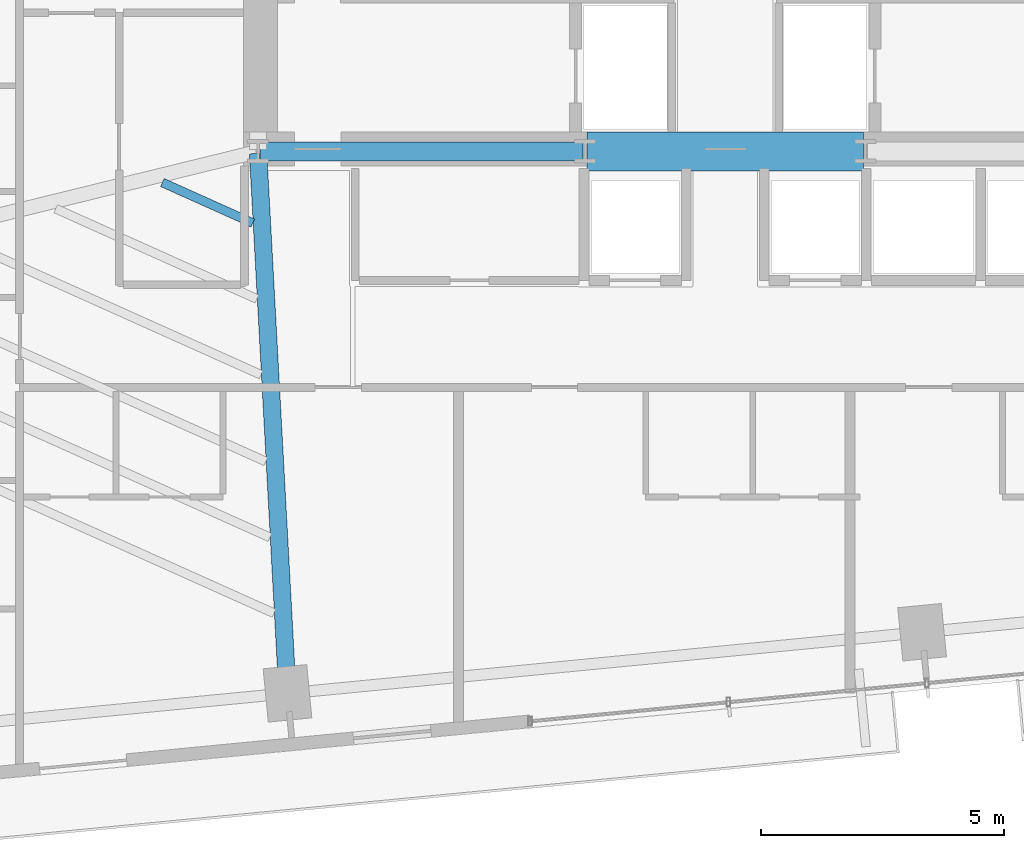
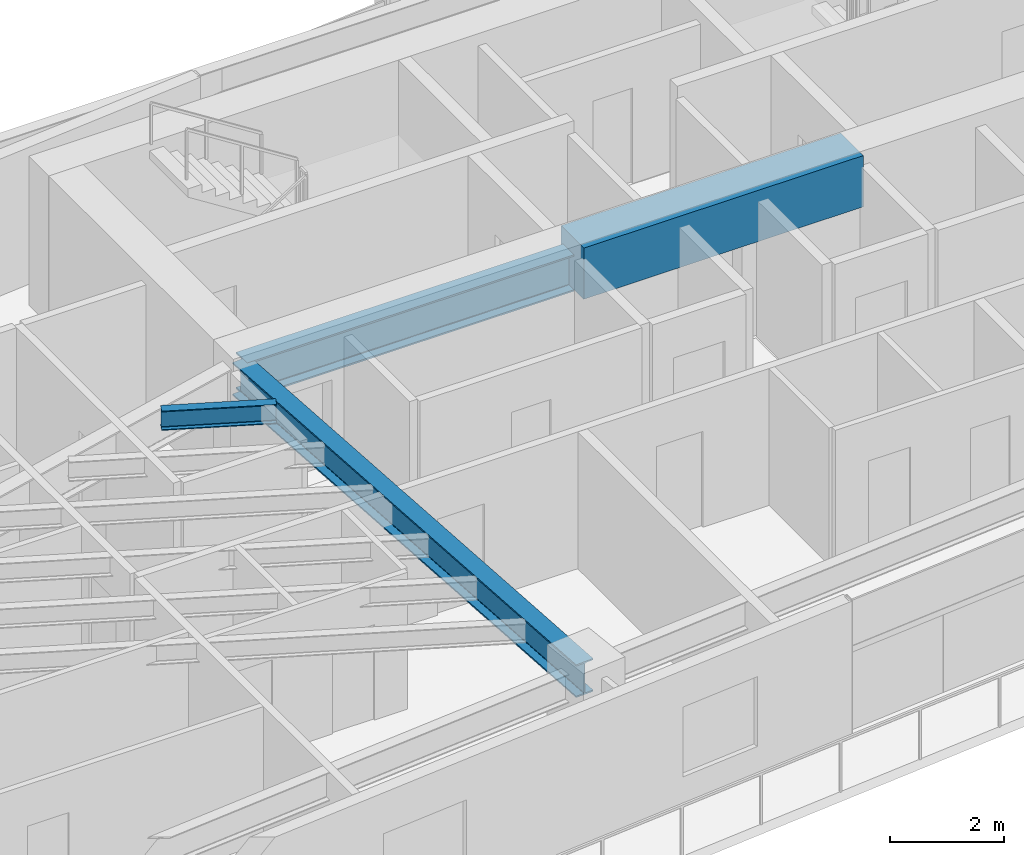
# One storey, part 7 of 25: 4 beams.
"""IFC4 building model written with IfcOpenShell, lengths in metres."""

from ifc_helpers import new_model, si_unit, direction, frame, origin, origin_2d, place, context, subcontext, project, spatial, rectangle, i_section, extrude, source, transform, mapped, material, material_profile, profile_set, type_object, type_shapes, element, save


model = new_model("IFC4")

# Units and contexts
model_context = context("Model", 3, precision=1e-05, world=origin(), true_north=direction((0.0, 1.0)))
body_context = subcontext(model_context, "Body", "Model", "MODEL_VIEW")
ifc_project = project(units=[si_unit("LENGTHUNIT", "METRE"), si_unit("AREAUNIT", "SQUARE_METRE"), si_unit("VOLUMEUNIT", "CUBIC_METRE"), si_unit("PLANEANGLEUNIT", "RADIAN"), si_unit("MASSUNIT", "GRAM", prefix="KILO")], contexts=[model_context])

# Site, building, storey
site_placement = place(None, origin())
site = spatial("IfcSite", under=ifc_project, at=site_placement, CompositionType="ELEMENT")
building_placement = place(site_placement, origin())
building = spatial("IfcBuilding", under=site, at=building_placement, Name="Astriad Promenade Condominiums", CompositionType="ELEMENT")
storey_placement = place(building_placement, frame((0.0, 0.0, 103.39990234375)))
storey = spatial("IfcBuildingStorey", under=building, at=storey_placement, Name="L29", CompositionType="ELEMENT", Elevation=103.39990234375)

# Beams
ifc_material_1 = material(Name="Steel ASTM A992 Grade 50", Category="steel")
ifc_material_profile_1 = material_profile(ifc_material_1, i_section(OverallWidth=0.3837890625, OverallDepth=0.785888671875, WebThickness=0.019775390625, FlangeThickness=0.033447265625, FilletRadius=0.021484375, at=origin_2d()), Name="W30X211")
ifc_profile_set_1 = profile_set([ifc_material_profile_1], Name="Steel ASTM A992 Grade 50")
beam_type_1 = type_object("IfcBeamType", Name="STEEL FLOOR GIRDER W30X211", PredefinedType="BEAM", material=ifc_profile_set_1)
shared_shape_1 = source(origin(), body_context, "Body", "SweptSolid", [
    extrude(i_section(OverallWidth=0.3837890625, OverallDepth=0.785888671875, WebThickness=0.019775390625, FlangeThickness=0.033447265625, FilletRadius=0.021484375, at=origin_2d()), origin(), (0.0, 0.0, 1.0), 6.64013671875),
])
type_shapes(beam_type_1, [shared_shape_1])
beam_1_placement = place(storey_placement, frame((26.43994140625, 17.39990234375, 2.547119140625), z_axis=(1.0, 0.0, 0.0), x_axis=(0.0, 1.0, 0.0)))
element("IfcBeam", 1, at=beam_1_placement, inside=storey, type_object=beam_type_1, Name="Core Ring Beam CG-S1-L29", PredefinedType="BEAM", context=body_context, shape_type="MappedRepresentation", body=[
    mapped(shared_shape_1, transform((0.0, 0.0, 0.0), scale=1.0)),
])
ifc_material_2 = material(Name="Concrete C80/95", Category="concrete")
ifc_material_profile_2 = material_profile(ifc_material_2, rectangle(XDim=0.800048828125, YDim=1.10009765625, at=origin_2d()), Name="RC-BM-800X1100")
ifc_profile_set_2 = profile_set([ifc_material_profile_2], Name="Concrete C80/95")
beam_type_2 = type_object("IfcBeamType", Name="CONCRETE CORE COUPLING LINTEL 800X1100", PredefinedType="LINTEL", material=ifc_profile_set_2)
shared_shape_2 = source(origin(), body_context, "Body", "SweptSolid", [
    extrude(rectangle(XDim=0.800048828125, YDim=1.10009765625, at=origin_2d()), origin(), (0.0, 0.0, 1.0), 5.68017578125),
])
type_shapes(beam_type_2, [shared_shape_2])
beam_2_placement = place(storey_placement, frame((33.159912109375, 17.39990234375, 2.630126953125), z_axis=(1.0, 0.0, 0.0), x_axis=(0.0, 1.0, 0.0)))
element("IfcBeam", 2, at=beam_2_placement, inside=storey, type_object=beam_type_2, Name="Core Ring Beam CG-S2-L29", PredefinedType="LINTEL", context=body_context, shape_type="MappedRepresentation", body=[
    mapped(shared_shape_2, transform((0.0, 0.0, 0.0), scale=1.0)),
])
ifc_material_profile_3 = material_profile(ifc_material_1, i_section(OverallWidth=0.35791015625, OverallDepth=0.706298828125, WebThickness=0.018310546875, FlangeThickness=0.0302734375, FilletRadius=0.020263671875, at=origin_2d()), Name="W27X178")
ifc_profile_set_3 = profile_set([ifc_material_profile_3], Name="Steel ASTM A992 Grade 50")
beam_type_3 = type_object("IfcBeamType", Name="STEEL FLOOR GIRDER W27X178", PredefinedType="BEAM", material=ifc_profile_set_3)
shared_shape_3 = source(origin(), body_context, "Body", "SweptSolid", [
    extrude(i_section(OverallWidth=0.35791015625, OverallDepth=0.706298828125, WebThickness=0.018310546875, FlangeThickness=0.0302734375, FilletRadius=0.020263671875, at=origin_2d()), origin(), (0.0, 0.0, 1.0), 11.071533203125),
])
type_shapes(beam_type_3, [shared_shape_3])
beam_3_placement = place(storey_placement, frame((27.00341796875, 6.304931640625, 2.5869140625), z_axis=(-0.05431219074, 0.998524003686, 0.0), x_axis=(-0.998524003686, -0.05431219074, 0.0)))
element("IfcBeam", 3, at=beam_3_placement, inside=storey, type_object=beam_type_3, Name="Primary Floor Girder PG-W2-L29", PredefinedType="BEAM", context=body_context, shape_type="MappedRepresentation", body=[
    mapped(shared_shape_3, transform((0.0, 0.0, 0.0), scale=1.0)),
])
ifc_material_profile_4 = material_profile(ifc_material_1, i_section(OverallWidth=0.180908203125, OverallDepth=0.417236328125, WebThickness=0.010986328125, FlangeThickness=0.018310546875, FilletRadius=0.013916015625, at=origin_2d()), Name="W16X57")
ifc_profile_set_4 = profile_set([ifc_material_profile_4], Name="Steel ASTM A992 Grade 50")
beam_type_4 = type_object("IfcBeamType", Name="STEEL FLOOR JOIST W16X57", PredefinedType="JOIST", material=ifc_profile_set_4)
shared_shape_4 = source(origin(), body_context, "Body", "SweptSolid", [
    extrude(i_section(OverallWidth=0.180908203125, OverallDepth=0.417236328125, WebThickness=0.010986328125, FlangeThickness=0.018310546875, FilletRadius=0.013916015625, at=origin_2d()), origin(), (0.0, 0.0, 1.0), 2.03564453125),
])
type_shapes(beam_type_4, [shared_shape_4])
beam_4_placement = place(storey_placement, frame((24.434814453125, 16.76123046875, 2.7314453125), z_axis=(0.912286908711, -0.409551701492, 0.0), x_axis=(0.409551701492, 0.912286908711, 0.0)))
element("IfcBeam", 4, at=beam_4_placement, inside=storey, type_object=beam_type_4, Name="Secondary Composite Floor Joist JW1-6-L29", PredefinedType="JOIST", context=body_context, shape_type="MappedRepresentation", body=[
    mapped(shared_shape_4, transform((0.0, 0.0, 0.0), scale=1.0)),
])

save(model, "model.ifc")
